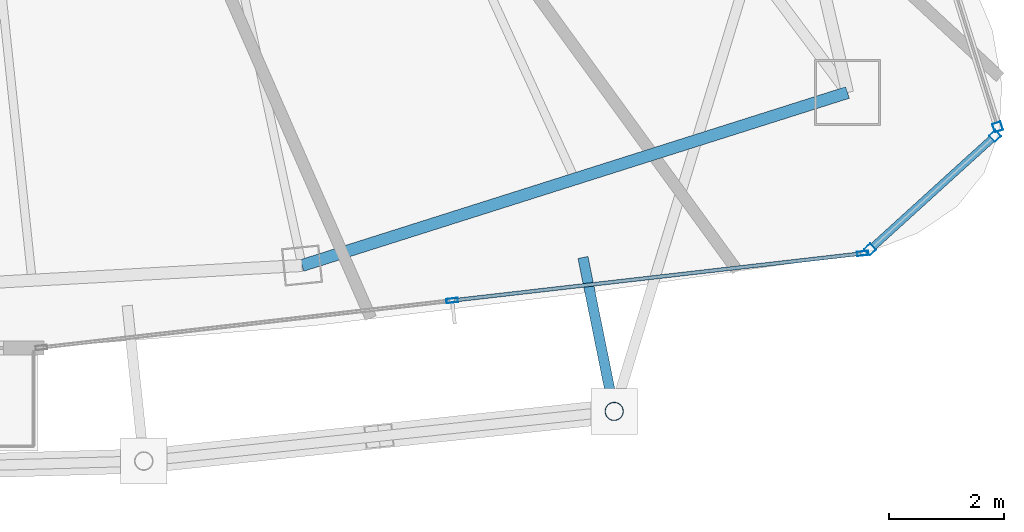
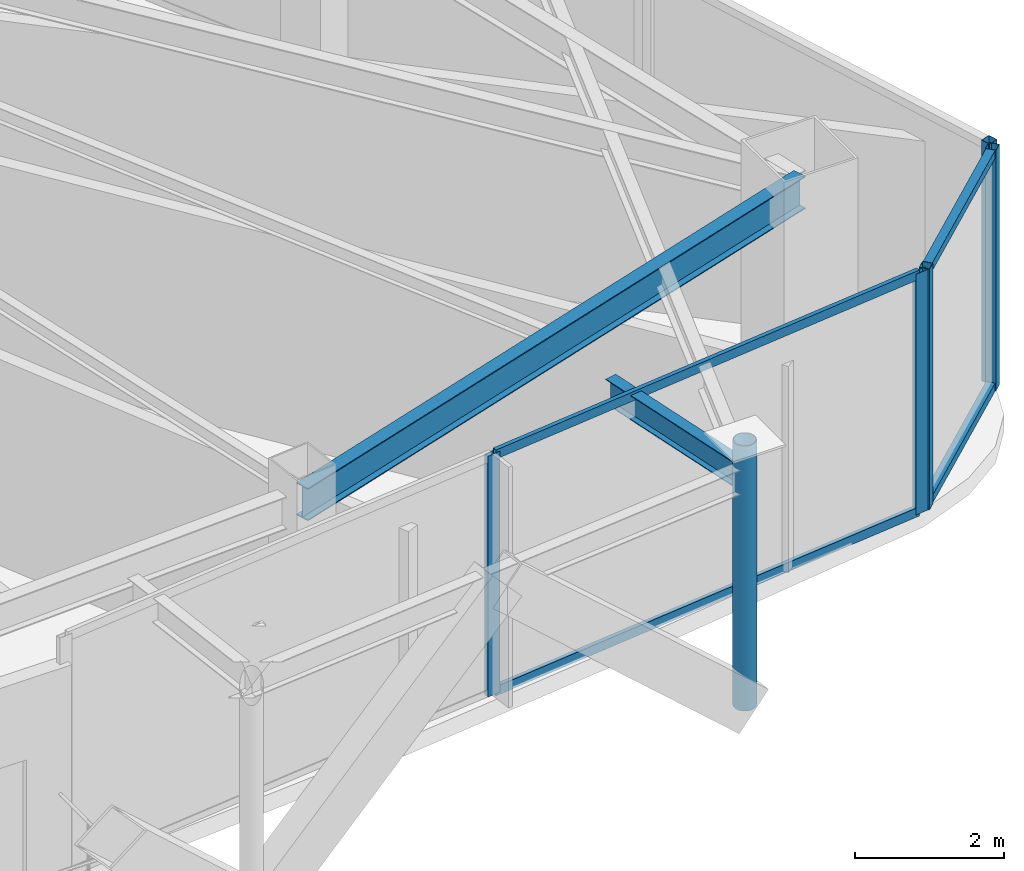
# One storey, part 11 of 22: 10 members, 2 beams, 3 elements without a shape of their own.
"""IFC4 building model written with IfcOpenShell, lengths in metres."""

from ifc_helpers import new_model, si_unit, direction, frame, origin, origin_2d, place, context, subcontext, project, spatial, hollow_rectangle, hollow_circle, i_section, extrude, material, layer, layer_set, material_profile, profile_set, type_object, element, aggregate, save


model = new_model("IFC4")

# Units and contexts
model_context = context("Model", 3, precision=1e-05, world=origin(), true_north=direction((0.0, 1.0)))
body_context = subcontext(model_context, "Body", "Model", "MODEL_VIEW")
ifc_project = project(units=[si_unit("LENGTHUNIT", "METRE"), si_unit("AREAUNIT", "SQUARE_METRE"), si_unit("VOLUMEUNIT", "CUBIC_METRE"), si_unit("PLANEANGLEUNIT", "RADIAN"), si_unit("MASSUNIT", "GRAM", prefix="KILO")], contexts=[model_context])

# Site, building, storey
site_placement = place(None, origin())
site = spatial("IfcSite", under=ifc_project, at=site_placement, CompositionType="ELEMENT")
building_placement = place(site_placement, origin())
building = spatial("IfcBuilding", under=site, at=building_placement, Name="Orvanel Arch Residences", CompositionType="ELEMENT")
storey_placement = place(building_placement, frame((0.0, 0.0, 276.64990234375)))
storey = spatial("IfcBuildingStorey", under=building, at=storey_placement, Name="L79", CompositionType="ELEMENT", Elevation=276.64990234375)

# Curtain wall, members
ifc_material_1 = material(Name="Bronze-anodised aluminium AA6063-T6", Category="aluminium")
ifc_layer_1 = layer(ifc_material_1, 0.18994140625)
ifc_layer_set_1 = layer_set([ifc_layer_1], Name="Bronze-anodised aluminium AA6063-T6")
curtain_wall_type_1 = type_object("IfcCurtainWallType", Name="CW5-CRN-SYS", PredefinedType="NOTDEFINED", material=ifc_layer_set_1)
curtain_wall_1_placement = place(storey_placement, origin())
curtain_wall_1 = element("IfcCurtainWall", 1, at=curtain_wall_1_placement, inside=storey, type_object=curtain_wall_type_1, Name="L79 CW5-CRN-SYS Unitised Curtain Wall", PredefinedType="NOTDEFINED")
ifc_material_profile_1 = material_profile(ifc_material_1, hollow_rectangle(XDim=0.14990234375, YDim=0.14990234375, WallThickness=0.0048828125, at=origin_2d()), Name="ALU150x150x5")
ifc_profile_set_1 = profile_set([ifc_material_profile_1], Name="Bronze-anodised aluminium AA6063-T6")
member_type_1 = type_object("IfcMemberType", Name="MUL-150x150", PredefinedType="MULLION", material=ifc_profile_set_1)
member_1_placement = place(storey_placement, frame((52.192626953125, 7.634521484375, 0.0), z_axis=(0.0, 0.0, 1.0), x_axis=(-0.672316719035, 0.740263621493, 0.0)))
member_1 = element("IfcMember", 2, at=member_1_placement, type_object=member_type_1, Name="CW-S5 mullion 1", PredefinedType="MULLION", context=body_context, shape_type="SweptSolid", body=[
    extrude(hollow_rectangle(XDim=0.14990234375, YDim=0.14990234375, WallThickness=0.0048828125, at=origin_2d()), origin(), (0.0, 0.0, 1.0), 3.9501953125),
])
member_2_placement = place(storey_placement, frame((54.3583984375, 9.6015625, 0.0), z_axis=(0.0, 0.0, 1.0), x_axis=(-0.672316719035, 0.740263621493, 0.0)))
member_2 = element("IfcMember", 3, at=member_2_placement, type_object=member_type_1, Name="CW-S5 mullion 2", PredefinedType="MULLION", context=body_context, shape_type="SweptSolid", body=[
    extrude(hollow_rectangle(XDim=0.14990234375, YDim=0.14990234375, WallThickness=0.0048828125, at=origin_2d()), origin(), (0.0, 0.0, 1.0), 3.9501953125),
])

# Curtain wall, member
curtain_wall_2_placement = place(storey_placement, origin())
curtain_wall_2 = element("IfcCurtainWall", 4, at=curtain_wall_2_placement, inside=storey, type_object=curtain_wall_type_1, Name="L79 CW5-CRN-SYS Unitised Curtain Wall", PredefinedType="NOTDEFINED")
member_3_placement = place(storey_placement, frame((54.400634765625, 9.755615234375, 0.0), z_axis=(0.0, 0.0, 1.0), x_axis=(-0.953992425891, -0.29983070447, 0.0)))
member_3 = element("IfcMember", 5, at=member_3_placement, type_object=member_type_1, Name="CW-S5 mullion 1", PredefinedType="MULLION", context=body_context, shape_type="SweptSolid", body=[
    extrude(hollow_rectangle(XDim=0.14990234375, YDim=0.14990234375, WallThickness=0.0048828125, at=origin_2d()), origin(), (0.0, 0.0, 1.0), 3.9501953125),
])
aggregate(curtain_wall_2, [member_3])

# Curtain wall, members
ifc_layer_2 = layer(ifc_material_1, 0.195068359375)
ifc_layer_set_2 = layer_set([ifc_layer_2], Name="Bronze-anodised aluminium AA6063-T6")
curtain_wall_type_2 = type_object("IfcCurtainWallType", Name="CW6-COM-SYS", PredefinedType="NOTDEFINED", material=ifc_layer_set_2)
curtain_wall_3_placement = place(storey_placement, origin())
curtain_wall_3 = element("IfcCurtainWall", 6, at=curtain_wall_3_placement, inside=storey, type_object=curtain_wall_type_2, Name="L79 CW6-COM-SYS Unitised Curtain Wall", PredefinedType="NOTDEFINED")
ifc_material_profile_2 = material_profile(ifc_material_1, hollow_rectangle(XDim=0.074951171875, YDim=0.199951171875, WallThickness=0.0048828125, at=origin_2d()), Name="ALU200x75x5")
ifc_profile_set_2 = profile_set([ifc_material_profile_2], Name="Bronze-anodised aluminium AA6063-T6")
member_type_2 = type_object("IfcMemberType", Name="MUL-200x75", PredefinedType="MULLION", material=ifc_profile_set_2)
member_4_placement = place(storey_placement, frame((44.950927734375, 6.74853515625, 0.0), z_axis=(0.0, 0.0, 1.0), x_axis=(-0.113991298337, 0.993481748148, 0.0)))
member_4 = element("IfcMember", 7, at=member_4_placement, type_object=member_type_2, Name="CW-S6 mullion 2", PredefinedType="MULLION", context=body_context, shape_type="SweptSolid", body=[
    extrude(hollow_rectangle(XDim=0.074951171875, YDim=0.199951171875, WallThickness=0.0048828125, at=origin_2d()), origin(), (0.0, 0.0, 1.0), 3.9501953125),
])
member_5_placement = place(storey_placement, frame((52.064697265625, 7.564697265625, 0.0), z_axis=(0.0, 0.0, 1.0), x_axis=(-0.113991298337, 0.993481748148, 0.0)))
member_5 = element("IfcMember", 8, at=member_5_placement, type_object=member_type_2, Name="CW-S6 mullion 3", PredefinedType="MULLION", context=body_context, shape_type="SweptSolid", body=[
    extrude(hollow_rectangle(XDim=0.074951171875, YDim=0.199951171875, WallThickness=0.0048828125, at=origin_2d()), origin(), (0.0, 0.0, 1.0), 3.9501953125),
])

# Beams
ifc_material_2 = material(Name="Structural steel AS/NZS 3679.1 Grade 300 (300 MPa)", Category="steel")
ifc_material_profile_3 = material_profile(ifc_material_2, i_section(OverallWidth=0.177978515625, OverallDepth=0.406005859375, WebThickness=0.0078125, FlangeThickness=0.0126953125, at=origin_2d()), Name="410UB59.7")
ifc_profile_set_3 = profile_set([ifc_material_profile_3], Name="Structural steel AS/NZS 3679.1 Grade 300 (300 MPa)")
beam_type_1 = type_object("IfcBeamType", Name="OB-410UB-EXT", PredefinedType="SPANDREL", material=ifc_profile_set_3)
beam_1_placement = place(storey_placement, frame((47.218017578125, 7.493896484375, 3.7470703125), z_axis=(0.198876767768, -0.980024505429, 0.0), x_axis=(0.980024505429, 0.198876767768, 0.0)))
element("IfcBeam", 9, at=beam_1_placement, inside=storey, type_object=beam_type_1, Name="L79 Outer Frame Radial Tie Beam 08", PredefinedType="SPANDREL", context=body_context, shape_type="SweptSolid", body=[
    extrude(i_section(OverallWidth=0.177978515625, OverallDepth=0.406005859375, WebThickness=0.0078125, FlangeThickness=0.0126953125, at=origin_2d()), origin(), (0.0, 0.0, 1.0), 2.720458984375),
])
ifc_material_profile_4 = material_profile(ifc_material_2, i_section(OverallWidth=0.208984375, OverallDepth=0.532958984375, WebThickness=0.01025390625, FlangeThickness=0.015625, at=origin_2d()), Name="530UB92.4")
ifc_profile_set_4 = profile_set([ifc_material_profile_4], Name="Structural steel AS/NZS 3679.1 Grade 300 (300 MPa)")
beam_type_2 = type_object("IfcBeamType", Name="SP-530UB", PredefinedType="SPANDREL", material=ifc_profile_set_4)
beam_2_placement = place(storey_placement, frame((42.35107421875, 7.35498046875, 3.68408203125), z_axis=(0.953237386592, 0.302222574941, 0.0), x_axis=(-0.302222574941, 0.953237386592, 0.0)))
element("IfcBeam", 10, at=beam_2_placement, inside=storey, type_object=beam_type_2, Name="L79 Perimeter Spandrel Beam 05", PredefinedType="SPANDREL", context=body_context, shape_type="SweptSolid", body=[
    extrude(i_section(OverallWidth=0.208984375, OverallDepth=0.532958984375, WebThickness=0.01025390625, FlangeThickness=0.015625, at=origin_2d()), origin(), (0.0, 0.0, 1.0), 9.91357421875),
])

# Member
ifc_material_3 = material(Name="Structural steel AS/NZS 1163 C350L0 (Grade 350)", Category="steel")
ifc_material_profile_5 = material_profile(ifc_material_3, hollow_circle(Radius=0.162109375, WallThickness=0.0126953125, at=origin_2d()), Name="CHS324x12.7")
ifc_profile_set_5 = profile_set([ifc_material_profile_5], Name="Structural steel AS/NZS 1163 C350L0 (Grade 350)")
member_type_3 = type_object("IfcMemberType", Name="ST-324CHS-EXT", PredefinedType="STRUT", material=ifc_profile_set_5)
member_6_placement = place(storey_placement, frame((47.759033203125, 4.827880859375, 0.0), z_axis=(0.0, 0.0, 1.0), x_axis=(1.0, 0.0, 0.0)))
element("IfcMember", 11, at=member_6_placement, inside=storey, type_object=member_type_3, Name="L79 Outer Perimeter Frame Post 08", PredefinedType="STRUT", context=body_context, shape_type="SweptSolid", body=[
    extrude(hollow_circle(Radius=0.162109375, WallThickness=0.0126953125, at=origin_2d()), origin(), (0.0, 0.0, 1.0), 4.35009765625),
])

ifc_material_profile_6 = material_profile(ifc_material_1, hollow_rectangle(XDim=0.1298828125, YDim=0.1298828125, WallThickness=0.00439453125, at=origin_2d()), Name="ALU130x130x4.5")
ifc_profile_set_6 = profile_set([ifc_material_profile_6], Name="Bronze-anodised aluminium AA6063-T6")
member_type_4 = type_object("IfcMemberType", Name="TRN-130x130", PredefinedType="USERDEFINED", material=ifc_profile_set_6)
member_7_placement = place(storey_placement, frame((52.248046875, 7.684814453125, 0.065185546875), z_axis=(0.74023845862, 0.672344423922, 0.0), x_axis=(-0.672344423922, 0.74023845862, 0.0)))
member_7 = element("IfcMember", 12, at=member_7_placement, type_object=member_type_4, Name="CW-S5 transom 1.1", ObjectType="TRANSOM", PredefinedType="USERDEFINED", context=body_context, shape_type="SweptSolid", body=[
    extrude(hollow_rectangle(XDim=0.1298828125, YDim=0.1298828125, WallThickness=0.00439453125, at=origin_2d()), origin(), (0.0, 0.0, 1.0), 2.776123046875),
])

member_8_placement = place(storey_placement, frame((52.248046875, 7.684814453125, 3.885009765625), z_axis=(0.74023845862, 0.672344423922, 0.0), x_axis=(-0.672344423922, 0.74023845862, 0.0)))
member_8 = element("IfcMember", 13, at=member_8_placement, type_object=member_type_4, Name="CW-S5 transom 1.2", ObjectType="TRANSOM", PredefinedType="USERDEFINED", context=body_context, shape_type="SweptSolid", body=[
    extrude(hollow_rectangle(XDim=0.1298828125, YDim=0.1298828125, WallThickness=0.00439453125, at=origin_2d()), origin(), (0.0, 0.0, 1.0), 2.776123046875),
])

aggregate(curtain_wall_1, [member_1, member_2, member_7, member_8])

ifc_material_profile_7 = material_profile(ifc_material_1, hollow_rectangle(XDim=0.06494140625, YDim=0.14990234375, WallThickness=0.00390625, at=origin_2d()), Name="ALU150x65x4")
ifc_profile_set_7 = profile_set([ifc_material_profile_7], Name="Bronze-anodised aluminium AA6063-T6")
member_type_5 = type_object("IfcMemberType", Name="TRN-150x65", PredefinedType="USERDEFINED", material=ifc_profile_set_7)
member_9_placement = place(storey_placement, frame((44.98828125, 6.752685546875, 0.03271484375), z_axis=(0.993478919885, 0.114015945129, 0.0), x_axis=(-0.114015945129, 0.993478919885, 0.0)))
member_9 = element("IfcMember", 14, at=member_9_placement, type_object=member_type_5, Name="CW-S6 transom 2.1", ObjectType="TRANSOM", PredefinedType="USERDEFINED", context=body_context, shape_type="SweptSolid", body=[
    extrude(hollow_rectangle(XDim=0.06494140625, YDim=0.14990234375, WallThickness=0.00390625, at=origin_2d()), origin(), (0.0, 0.0, 1.0), 7.08544921875),
])

member_10_placement = place(storey_placement, frame((44.98828125, 6.752685546875, 3.91748046875), z_axis=(0.993478919885, 0.114015945129, 0.0), x_axis=(-0.114015945129, 0.993478919885, 0.0)))
member_10 = element("IfcMember", 15, at=member_10_placement, type_object=member_type_5, Name="CW-S6 transom 2.2", ObjectType="TRANSOM", PredefinedType="USERDEFINED", context=body_context, shape_type="SweptSolid", body=[
    extrude(hollow_rectangle(XDim=0.06494140625, YDim=0.14990234375, WallThickness=0.00390625, at=origin_2d()), origin(), (0.0, 0.0, 1.0), 7.08544921875),
])

aggregate(curtain_wall_3, [member_4, member_5, member_9, member_10])

save(model, "model.ifc")
